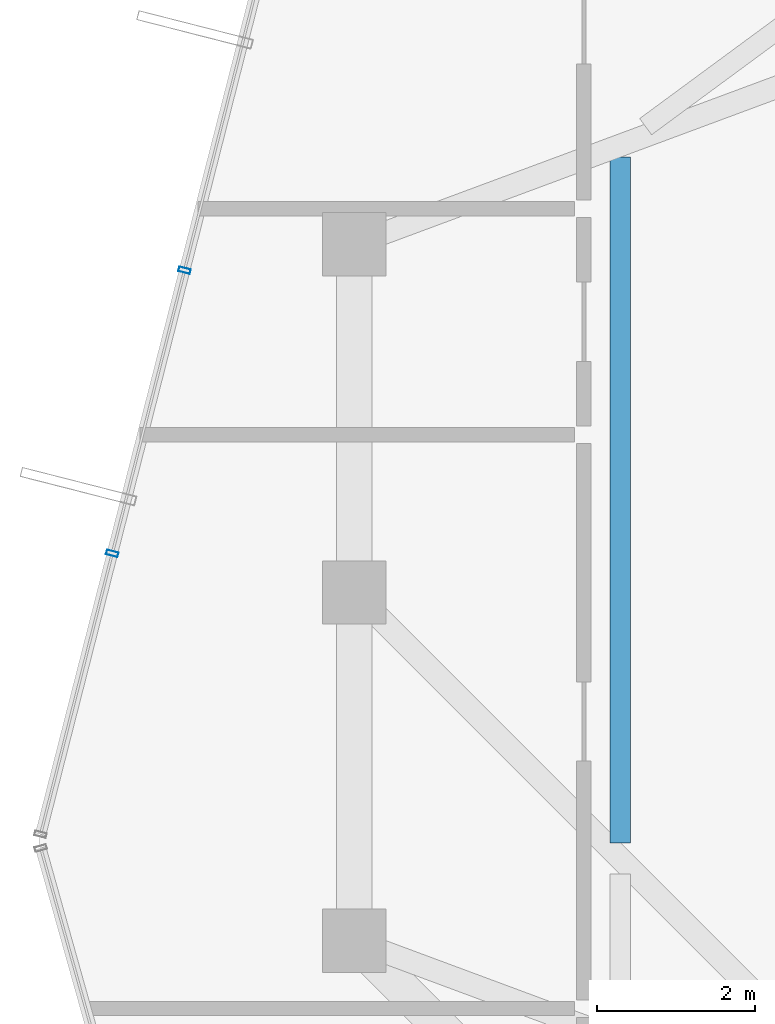
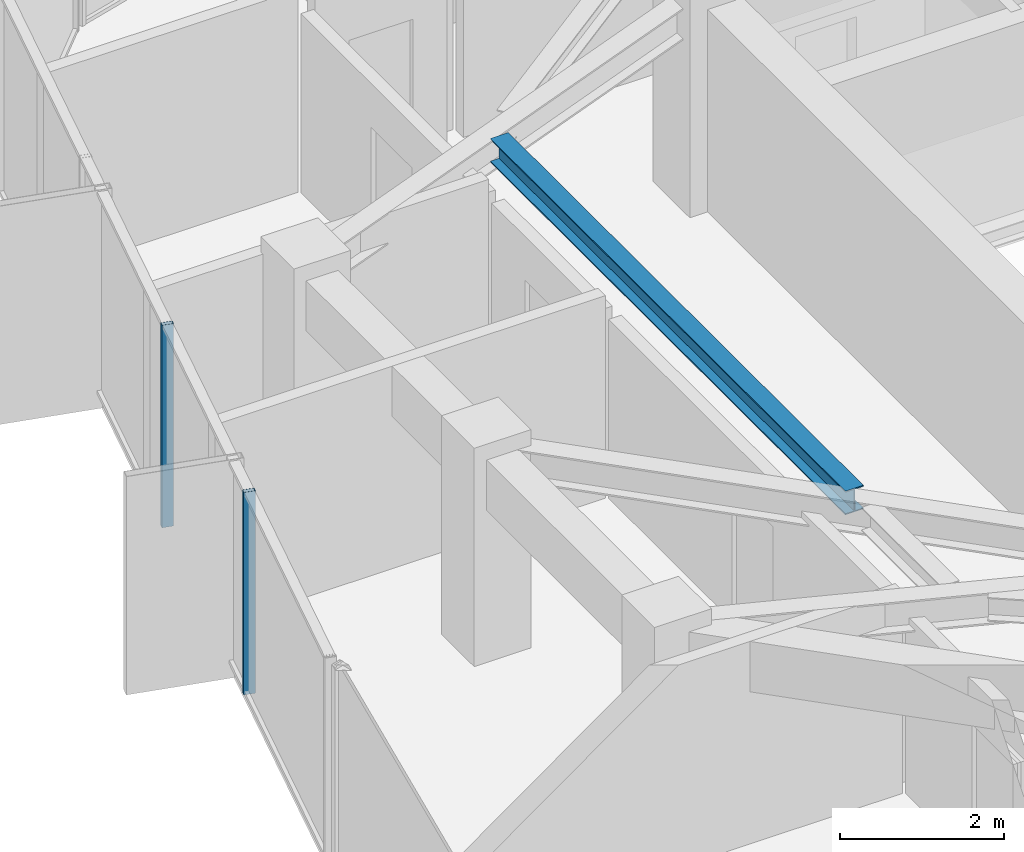
# One storey, part 12 of 29: 2 members, 1 beam, 1 element without a shape of its own.
"""IFC4 building model written with IfcOpenShell, lengths in metres."""

from ifc_helpers import new_model, si_unit, direction, frame, origin, origin_2d, place, context, subcontext, project, spatial, hollow_rectangle, i_section, extrude, source, transform, mapped, material, layer, layer_set, material_profile, profile_set, type_object, element, aggregate, save


model = new_model("IFC4")

# Units and contexts
model_context = context("Model", 3, precision=1e-05, world=origin(), true_north=direction((0.0, 1.0)))
body_context = subcontext(model_context, "Body", "Model", "MODEL_VIEW")
ifc_project = project(units=[si_unit("LENGTHUNIT", "METRE"), si_unit("AREAUNIT", "SQUARE_METRE"), si_unit("VOLUMEUNIT", "CUBIC_METRE"), si_unit("PLANEANGLEUNIT", "RADIAN"), si_unit("MASSUNIT", "GRAM", prefix="KILO")], contexts=[model_context])

# Site, building, storey
site_placement = place(None, origin())
site = spatial("IfcSite", under=ifc_project, at=site_placement, CompositionType="ELEMENT")
building_placement = place(site_placement, origin())
building = spatial("IfcBuilding", under=site, at=building_placement, Name="Veraguas Prism Commons", CompositionType="ELEMENT")
storey_placement = place(building_placement, frame((0.0, 0.0, 257.75)))
storey = spatial("IfcBuildingStorey", under=building, at=storey_placement, Name="L73", CompositionType="ELEMENT", Elevation=257.75)

# Beam
ifc_material_1 = material(Name="Steel ASTM A992 Grade 50", Category="steel")
ifc_material_profile_1 = material_profile(ifc_material_1, i_section(OverallWidth=0.25390625, OverallDepth=0.35302734375, WebThickness=0.009521484375, FlangeThickness=0.016357421875, at=origin_2d()), Name="W360X91")
ifc_profile_set_1 = profile_set([ifc_material_profile_1], Name="Steel ASTM A992 Grade 50")
beam_type = type_object("IfcBeamType", Name="Upper Floor Joist W360x91", PredefinedType="JOIST", material=ifc_profile_set_1)
beam_placement = place(storey_placement, frame((13.56005859375, 29.499267578125, 2.83837890625), z_axis=(0.0, -1.0, 0.0), x_axis=(1.0, 0.0, 0.0)))
element("IfcBeam", 1, at=beam_placement, inside=storey, type_object=beam_type, Name="Composite Floor Joist L73-JS07", PredefinedType="JOIST", context=body_context, shape_type="SweptSolid", body=[
    extrude(i_section(OverallWidth=0.25390625, OverallDepth=0.35302734375, WebThickness=0.009521484375, FlangeThickness=0.016357421875, at=origin_2d()), origin(), (0.0, 0.0, 1.0), 8.661865234375),
])

# Curtain wall, members
ifc_material_2 = material(Name="Anodised aluminium EN AW-6063 T6", Category="aluminium")
ifc_layer = layer(ifc_material_2, 0.14990234375, Name="Unitised Flush Curtain Wall Zone 4", Category="aluminium")
ifc_layer_set = layer_set([ifc_layer], Name="Anodised aluminium EN AW-6063 T6")
curtain_wall_type = type_object("IfcCurtainWallType", Name="Unitised Flush Curtain Wall Zone 4", PredefinedType="NOTDEFINED", material=ifc_layer_set)
curtain_wall_placement = place(storey_placement, origin())
curtain_wall = element("IfcCurtainWall", 2, at=curtain_wall_placement, inside=storey, type_object=curtain_wall_type, Name="Tower Facade Curtain Wall L73-F3", PredefinedType="NOTDEFINED")
ifc_material_profile_2 = material_profile(ifc_material_2, hollow_rectangle(XDim=0.06005859375, YDim=0.14990234375, WallThickness=0.0029296875, at=origin_2d()), Name="AL60X150X3")
ifc_profile_set_2 = profile_set([ifc_material_profile_2], Name="Anodised aluminium EN AW-6063 T6")
member_type = type_object("IfcMemberType", Name="Curtain Wall Mullion Upper AL 60x150x3", PredefinedType="MULLION", material=ifc_profile_set_2)
shared_shape = source(origin(), body_context, "Body", "SweptSolid", [
    extrude(hollow_rectangle(XDim=0.06005859375, YDim=0.14990234375, WallThickness=0.0029296875, at=origin_2d()), origin(), (0.0, 0.0, 1.0), 3.014892578125),
])
member_1_placement = place(storey_placement, frame((8.056640625, 28.06982421875, 0.0), z_axis=(0.0, 0.0, 1.0), x_axis=(-0.247338939069, -0.968929021766, 0.0)))
member_1 = element("IfcMember", 3, at=member_1_placement, type_object=member_type, Name="CW-Z4 Mullion 3", PredefinedType="MULLION", context=body_context, shape_type="MappedRepresentation", body=[
    mapped(shared_shape, transform((0.0, 0.0, 0.0), scale=1.0)),
])
member_2_placement = place(storey_placement, frame((7.1435546875, 24.492919921875, 0.0), z_axis=(0.0, 0.0, 1.0), x_axis=(-0.247338939069, -0.968929021766, 0.0)))
member_2 = element("IfcMember", 4, at=member_2_placement, type_object=member_type, Name="CW-Z4 Mullion 4", PredefinedType="MULLION", context=body_context, shape_type="MappedRepresentation", body=[
    mapped(shared_shape, transform((0.0, 0.0, 0.0), scale=1.0)),
])
aggregate(curtain_wall, [member_1, member_2])

save(model, "model.ifc")
